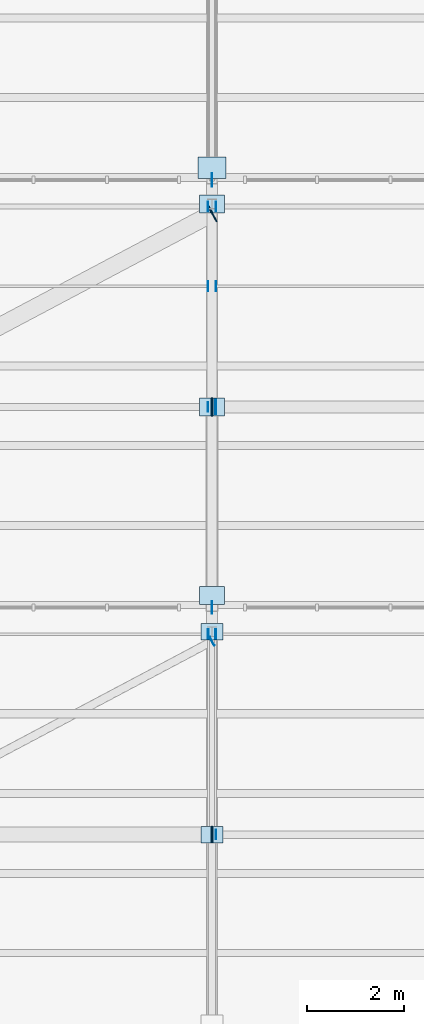
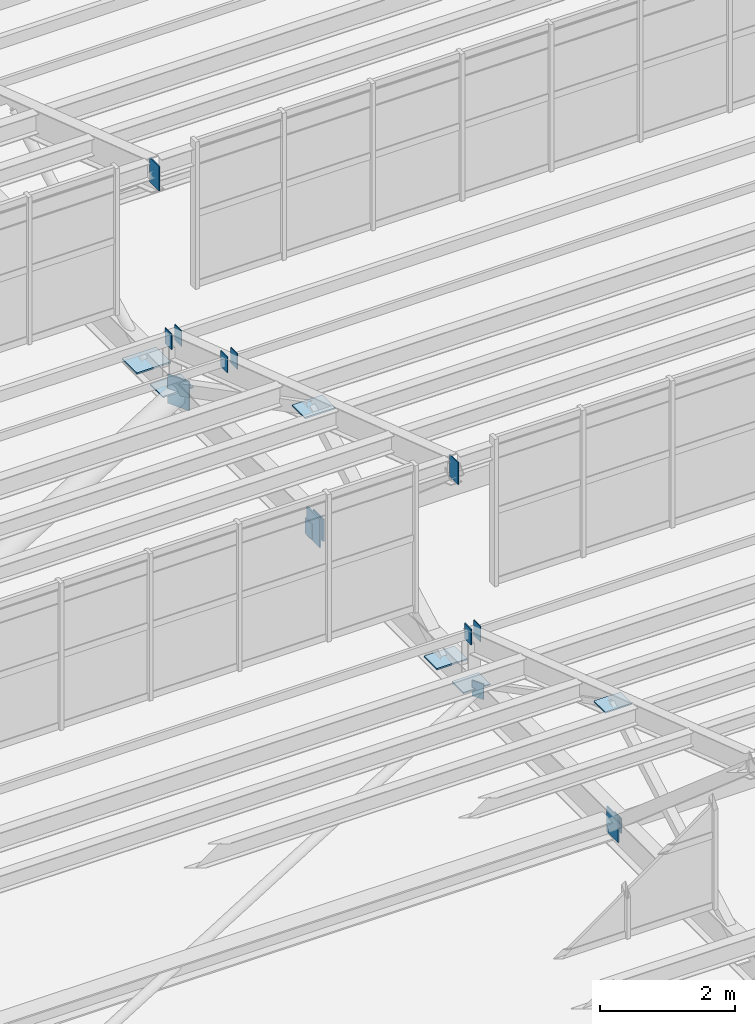
# One storey, part 222 of 285: 21 plates.
"""IFC4 building model written with IfcOpenShell, lengths in metres."""

from ifc_helpers import new_model, si_unit, direction, frame, origin, origin_2d, place, context, subcontext, project, spatial, rectangle, extrude, material, layer, layer_set, type_object, element, save


model = new_model("IFC4")

# Units and contexts
model_context = context("Model", 3, precision=1e-05, world=origin(), true_north=direction((0.0, 1.0)))
body_context = subcontext(model_context, "Body", "Model", "MODEL_VIEW")
ifc_project = project(units=[si_unit("LENGTHUNIT", "METRE"), si_unit("AREAUNIT", "SQUARE_METRE"), si_unit("VOLUMEUNIT", "CUBIC_METRE"), si_unit("PLANEANGLEUNIT", "RADIAN"), si_unit("MASSUNIT", "GRAM", prefix="KILO")], contexts=[model_context])

# Site, building, storey
site_placement = place(None, origin())
site = spatial("IfcSite", under=ifc_project, at=site_placement, CompositionType="ELEMENT")
building_placement = place(site_placement, origin())
building = spatial("IfcBuilding", under=site, at=building_placement, Name="Solanera Park Tramway Depot", CompositionType="ELEMENT")
storey_placement = place(building_placement, origin())
storey = spatial("IfcBuildingStorey", under=building, at=storey_placement, Name="L00", CompositionType="ELEMENT", Elevation=0.0)

# Plates
ifc_material_1 = material(Name="Steel AS/NZS 3679.1 Grade 350", Category="steel")
ifc_layer_1 = layer(ifc_material_1, 0.013916015625)
ifc_layer_set_1 = layer_set([ifc_layer_1], Name="Steel AS/NZS 3679.1 Grade 350")
plate_type_1 = type_object("IfcPlateType", Name="Hollow End Cap and Base Plate 280x200x14", PredefinedType="USERDEFINED", material=ifc_layer_set_1)
for number, where, z_axis, x_axis, name in (
    (1, (104.922119140625, 99.449951171875, 7.30615234375), (0.0, 0.0, 1.0), (1.0, 0.0, 0.0), "Hollow Section Welded End Cap Plate #0494"),
    (2, (105.077880859375, 99.449951171875, 7.30615234375), (0.0, 0.0, 1.0), (1.0, 0.0, 0.0), "Hollow Section Welded End Cap Plate #0495"),
    (3, (105.000732421875, 99.301513671875, 6.35986328125), (0.0, 0.0, 1.0), (0.883520501477, 0.468392488698, 0.0), "Hollow Section Welded End Cap Plate #0510"),
    (4, (105.0849609375, 95.300048828125, 6.35986328125), (0.0, 0.0, 1.0), (1.0, 0.0, 0.0), "Hollow Section Welded End Cap Plate #0511"),
    (5, (104.915771484375, 106.64990234375, 7.8583984375), (0.0, 0.0, 1.0), (1.0, 0.0, 0.0), "Hollow Section Welded End Cap Plate #0585"),
    (6, (105.084228515625, 106.64990234375, 7.8583984375), (0.0, 0.0, 1.0), (1.0, 0.0, 0.0), "Hollow Section Welded End Cap Plate #0586"),
    (7, (104.915771484375, 108.300048828125, 7.27294921875), (0.0, 0.0, 1.0), (1.0, 0.0, 0.0), "Hollow Section Welded End Cap Plate #0605"),
    (8, (105.084228515625, 108.300048828125, 7.27294921875), (0.0, 0.0, 1.0), (1.0, 0.0, 0.0), "Hollow Section Welded End Cap Plate #0606"),
    (9, (104.9150390625, 104.14990234375, 6.35986328125), (0.0, 0.0, 1.0), (1.0, 0.0, 0.0), "Hollow Section Welded End Cap Plate #0621"),
):
    element("IfcPlate", number, at=place(storey_placement, frame(where, z_axis=z_axis, x_axis=x_axis)), inside=storey, type_object=plate_type_1, Name=name, ObjectType="BASE PLATE", PredefinedType="USERDEFINED", context=body_context, shape_type="SweptSolid", body=[
        extrude(rectangle(XDim=0.013916015625, YDim=0.199951171875, at=origin_2d()), origin(), (0.0, 0.0, 1.0), 0.280029296875),
    ])
ifc_material_2 = material(Name="Steel AS/NZS 3679.1 Grade 350", Category="steel")
ifc_layer_2 = layer(ifc_material_2, 0.02001953125)
ifc_layer_set_2 = layer_set([ifc_layer_2], Name="Steel AS/NZS 3679.1 Grade 350")
plate_type_2 = type_object("IfcPlateType", Name="Hollow End Cap and Base Plate 400x300x20", PredefinedType="USERDEFINED", material=ifc_layer_set_2)
plate_1_placement = place(storey_placement, frame((105.08203125, 104.14990234375, 6.300048828125), z_axis=(0.0, 0.0, 1.0), x_axis=(1.0, 0.0, 0.0)))
element("IfcPlate", 10, at=plate_1_placement, inside=storey, type_object=plate_type_2, Name="Hollow Section Welded End Cap Plate #0624", ObjectType="BASE PLATE", PredefinedType="USERDEFINED", context=body_context, shape_type="SweptSolid", body=[
    extrude(rectangle(XDim=0.02001953125, YDim=0.300048828125, at=origin_2d()), origin(), (0.0, 0.0, 1.0), 0.39990234375),
])
ifc_material_3 = material(Name="Steel AS/NZS 3679.1 Grade 350", Category="steel")
ifc_layer_3 = layer(ifc_material_3, 0.02197265625)
ifc_layer_set_3 = layer_set([ifc_layer_3], Name="Steel AS/NZS 3679.1 Grade 350")
plate_type_3 = type_object("IfcPlateType", Name="Hollow End Cap and Base Plate 460x340x22", PredefinedType="USERDEFINED", material=ifc_layer_set_3)
plate_2_placement = place(storey_placement, frame((105.0, 95.300048828125, 6.27001953125), z_axis=(0.0, 0.0, 1.0), x_axis=(1.0, 0.0, 0.0)))
element("IfcPlate", 11, at=plate_2_placement, inside=storey, type_object=plate_type_3, Name="Sawtooth Truss Hollow End Cap #0462", ObjectType="BASE PLATE", PredefinedType="USERDEFINED", context=body_context, shape_type="SweptSolid", body=[
    extrude(rectangle(XDim=0.02197265625, YDim=0.340087890625, at=origin_2d()), origin(), (0.0, 0.0, 1.0), 0.4599609375),
])
for number, where, z_axis, x_axis, name in (
    (12, (105.0, 99.5, 6.489013671875), (0.0, 0.0, 1.0), (1.0, 0.0, 0.0), "Sawtooth Truss Node Cap Plate #0463"),
    (13, (105.0, 95.300048828125, 8.68212890625), (0.0, 0.0, 1.0), (1.0, 0.0, 0.0), "Sawtooth Truss Node Cap Plate #0464"),
):
    element("IfcPlate", number, at=place(storey_placement, frame(where, z_axis=z_axis, x_axis=x_axis)), inside=storey, type_object=plate_type_3, Name=name, ObjectType="BASE PLATE", PredefinedType="USERDEFINED", context=body_context, shape_type="SweptSolid", body=[
        extrude(rectangle(XDim=0.4599609375, YDim=0.340087890625, at=origin_2d()), origin(), (0.0, 0.0, 1.0), 0.02197265625),
    ])
ifc_material_4 = material(Name="Steel AS/NZS 3679.1 Grade 350", Category="steel")
ifc_layer_4 = layer(ifc_material_4, 0.02490234375)
ifc_layer_set_4 = layer_set([ifc_layer_4], Name="Steel AS/NZS 3679.1 Grade 350")
plate_type_4 = type_object("IfcPlateType", Name="Hollow End Cap and Base Plate 520x380x25", PredefinedType="USERDEFINED", material=ifc_layer_set_4)
plate_3_placement = place(storey_placement, frame((105.0, 104.14990234375, 6.239990234375), z_axis=(0.0, 0.0, 1.0), x_axis=(1.0, 0.0, 0.0)))
element("IfcPlate", 14, at=plate_3_placement, inside=storey, type_object=plate_type_4, Name="Sawtooth Truss Hollow End Cap #0553", ObjectType="BASE PLATE", PredefinedType="USERDEFINED", context=body_context, shape_type="SweptSolid", body=[
    extrude(rectangle(XDim=0.02490234375, YDim=0.3798828125, at=origin_2d()), origin(), (0.0, 0.0, 1.0), 0.52001953125),
])
for number, where, z_axis, x_axis, name in (
    (15, (105.0, 108.35009765625, 6.487548828125), (0.0, 0.0, 1.0), (1.0, 0.0, 0.0), "Sawtooth Truss Node Cap Plate #0554"),
    (16, (105.0, 104.14990234375, 8.655029296875), (0.0, 0.0, 1.0), (1.0, 0.0, 0.0), "Sawtooth Truss Node Cap Plate #0555"),
    (17, (105.0, 100.25, 6.487548828125), (0.0, 0.0, 1.0), (1.0, 0.0, 0.0), "Sawtooth Truss Node Cap Plate #0556"),
):
    element("IfcPlate", number, at=place(storey_placement, frame(where, z_axis=z_axis, x_axis=x_axis)), inside=storey, type_object=plate_type_4, Name=name, ObjectType="BASE PLATE", PredefinedType="USERDEFINED", context=body_context, shape_type="SweptSolid", body=[
        extrude(rectangle(XDim=0.52001953125, YDim=0.3798828125, at=origin_2d()), origin(), (0.0, 0.0, 1.0), 0.02490234375),
    ])
plate_4_placement = place(storey_placement, frame((105.005615234375, 108.154052734375, 6.239990234375), z_axis=(0.0, 0.0, 1.0), x_axis=(0.883520501477, 0.468392488698, 0.0)))
element("IfcPlate", 18, at=plate_4_placement, inside=storey, type_object=plate_type_4, Name="Hollow Section Welded End Cap Plate #0623", ObjectType="BASE PLATE", PredefinedType="USERDEFINED", context=body_context, shape_type="SweptSolid", body=[
    extrude(rectangle(XDim=0.02490234375, YDim=0.3798828125, at=origin_2d()), origin(), (0.0, 0.0, 1.0), 0.52001953125),
])
ifc_material_5 = material(Name="Steel AS/NZS 3679.1 Grade 350", Category="steel")
ifc_layer_5 = layer(ifc_material_5, 0.028076171875)
ifc_layer_set_5 = layer_set([ifc_layer_5], Name="Steel AS/NZS 3679.1 Grade 350")
plate_type_5 = type_object("IfcPlateType", Name="Hollow End Cap and Base Plate 580x440x28", PredefinedType="USERDEFINED", material=ifc_layer_set_5)
plate_5_placement = place(storey_placement, frame((105.0, 109.10009765625, 6.48583984375), z_axis=(0.0, 0.0, 1.0), x_axis=(1.0, 0.0, 0.0)))
element("IfcPlate", 19, at=plate_5_placement, inside=storey, type_object=plate_type_5, Name="Sawtooth Truss Node Cap Plate #0667", ObjectType="BASE PLATE", PredefinedType="USERDEFINED", context=body_context, shape_type="SweptSolid", body=[
    extrude(rectangle(XDim=0.580078125, YDim=0.43994140625, at=origin_2d()), origin(), (0.0, 0.0, 1.0), 0.028076171875),
])
ifc_material_6 = material(Name="Steel AS/NZS 3679.1 Grade 350", Category="steel")
ifc_layer_6 = layer(ifc_material_6, 0.01611328125)
ifc_layer_set_6 = layer_set([ifc_layer_6], Name="Steel AS/NZS 3679.1 Grade 350")
plate_type_6 = type_object("IfcPlateType", Name="Truss Node Gusset Stiffener 400x260x16", PredefinedType="SHEET", material=ifc_layer_set_6)
plate_6_placement = place(storey_placement, frame((105.0, 100.0, 9.856201171875), z_axis=(0.0, 0.0, 1.0), x_axis=(1.0, 0.0, 0.0)))
element("IfcPlate", 20, at=plate_6_placement, inside=storey, type_object=plate_type_6, Name="Sawtooth Truss Apex Gusset Plate #0552", PredefinedType="SHEET", context=body_context, shape_type="SweptSolid", body=[
    extrude(rectangle(XDim=0.01611328125, YDim=0.260009765625, at=origin_2d()), origin(), (0.0, 0.0, 1.0), 0.39990234375),
])
ifc_material_7 = material(Name="Steel AS/NZS 3679.1 Grade 350", Category="steel")
ifc_layer_7 = layer(ifc_material_7, 0.01611328125)
ifc_layer_set_7 = layer_set([ifc_layer_7], Name="Steel AS/NZS 3679.1 Grade 350")
plate_type_7 = type_object("IfcPlateType", Name="Truss Node Gusset Stiffener 440x280x16", PredefinedType="SHEET", material=ifc_layer_set_7)
plate_7_placement = place(storey_placement, frame((105.0, 108.85009765625, 9.79833984375), z_axis=(0.0, 0.0, 1.0), x_axis=(1.0, 0.0, 0.0)))
element("IfcPlate", 21, at=plate_7_placement, inside=storey, type_object=plate_type_7, Name="Sawtooth Truss Apex Gusset Plate #0663", PredefinedType="SHEET", context=body_context, shape_type="SweptSolid", body=[
    extrude(rectangle(XDim=0.01611328125, YDim=0.280029296875, at=origin_2d()), origin(), (0.0, 0.0, 1.0), 0.43994140625),
])

save(model, "model.ifc")
